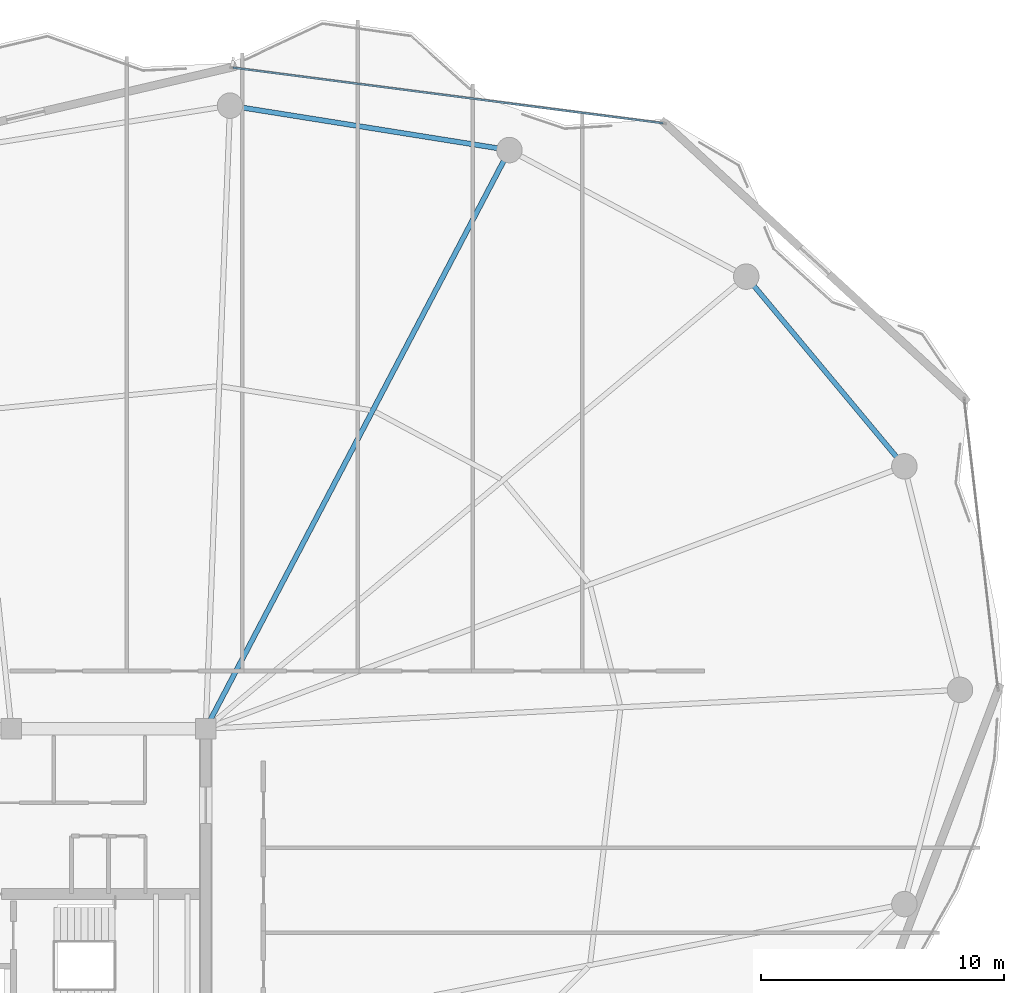
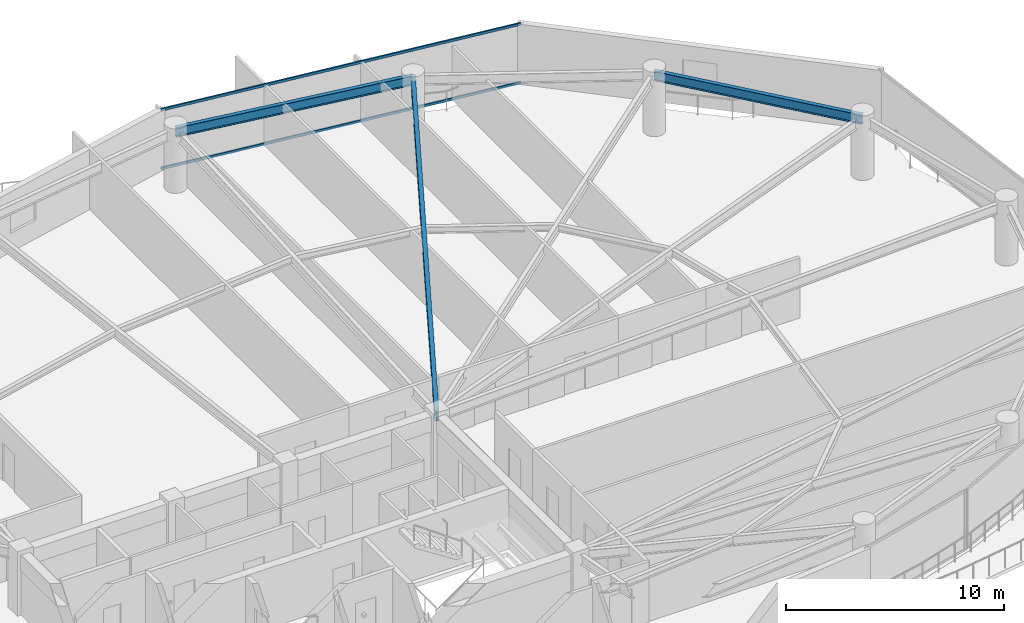
# One storey, part 21 of 31: 3 beams, 2 members, 1 element without a shape of its own.
"""IFC4 building model written with IfcOpenShell, lengths in metres."""

from ifc_helpers import new_model, si_unit, direction, frame, origin, origin_2d, place, context, subcontext, project, spatial, hollow_rectangle, i_section, extrude, material, layer, layer_set, material_profile, profile_set, type_object, element, aggregate, save


model = new_model("IFC4")

# Units and contexts
model_context = context("Model", 3, precision=1e-05, world=origin(), true_north=direction((0.0, 1.0)))
body_context = subcontext(model_context, "Body", "Model", "MODEL_VIEW")
ifc_project = project(units=[si_unit("LENGTHUNIT", "METRE"), si_unit("AREAUNIT", "SQUARE_METRE"), si_unit("VOLUMEUNIT", "CUBIC_METRE"), si_unit("PLANEANGLEUNIT", "RADIAN"), si_unit("MASSUNIT", "GRAM", prefix="KILO")], contexts=[model_context])

# Site, building, storey
site_placement = place(None, origin())
site = spatial("IfcSite", under=ifc_project, at=site_placement, CompositionType="ELEMENT")
building_placement = place(site_placement, origin())
building = spatial("IfcBuilding", under=site, at=building_placement, Name="Kazevale Care Tower and Concert Hall", CompositionType="ELEMENT")
storey_placement = place(building_placement, frame((0.0, 0.0, 206.39990234375)))
storey = spatial("IfcBuildingStorey", under=building, at=storey_placement, Name="L54", CompositionType="ELEMENT", Elevation=206.39990234375)

# Curtain wall, members
ifc_material_1 = material(Name="Aluminium 6063-T6 and Low-E Glass", Category="aluminium")
ifc_layer = layer(ifc_material_1, 0.179931640625)
ifc_layer_set = layer_set([ifc_layer], Name="Aluminium 6063-T6 and Low-E Glass")
curtain_wall_type = type_object("IfcCurtainWallType", Name="Waist & Upper Residential Curtain Wall CW-4", PredefinedType="NOTDEFINED", material=ifc_layer_set)
curtain_wall_placement = place(storey_placement, origin())
curtain_wall = element("IfcCurtainWall", 1, at=curtain_wall_placement, inside=storey, type_object=curtain_wall_type, Name="cw:L54:f16", PredefinedType="NOTDEFINED")
ifc_material_2 = material(Name="Aluminium 6063-T6", Category="aluminium")
ifc_material_profile_1 = material_profile(ifc_material_2, hollow_rectangle(XDim=0.080078125, YDim=0.139892578125, WallThickness=0.00390625, at=origin_2d()), Name="ALU80x140x4")
ifc_profile_set_1 = profile_set([ifc_material_profile_1], Name="Aluminium 6063-T6")
member_type = type_object("IfcMemberType", Name="CW-4 Transom ALU80x140x4", PredefinedType="USERDEFINED", material=ifc_profile_set_1)
member_1_placement = place(storey_placement, frame((45.123291015625, 63.61181640625, 0.0400390625), z_axis=(0.991760953967, -0.128102342625, 0.0), x_axis=(0.128102342625, 0.991760953967, 0.0)))
member_1 = element("IfcMember", 2, at=member_1_placement, type_object=member_type, Name="CW-4 transom 1.1", ObjectType="TRANSOM", PredefinedType="USERDEFINED", context=body_context, shape_type="SweptSolid", body=[
    extrude(hollow_rectangle(XDim=0.080078125, YDim=0.139892578125, WallThickness=0.00390625, at=origin_2d()), origin(), (0.0, 0.0, 1.0), 17.857666015625),
])
member_2_placement = place(storey_placement, frame((45.123291015625, 63.61181640625, 3.320068359375), z_axis=(0.991760953967, -0.128102342625, 0.0), x_axis=(0.128102342625, 0.991760953967, 0.0)))
member_2 = element("IfcMember", 3, at=member_2_placement, type_object=member_type, Name="CW-4 transom 1.2", ObjectType="TRANSOM", PredefinedType="USERDEFINED", context=body_context, shape_type="SweptSolid", body=[
    extrude(hollow_rectangle(XDim=0.080078125, YDim=0.139892578125, WallThickness=0.00390625, at=origin_2d()), origin(), (0.0, 0.0, 1.0), 17.857666015625),
])
aggregate(curtain_wall, [member_1, member_2])

# Beams
ifc_material_3 = material(Name="Steel ASTM A572 Gr 50", Category="steel")
ifc_material_profile_2 = material_profile(ifc_material_3, i_section(OverallWidth=0.2119140625, OverallDepth=0.5439453125, WebThickness=0.01318359375, FlangeThickness=0.021240234375, at=origin_2d()), Name="W530x123")
ifc_profile_set_2 = profile_set([ifc_material_profile_2], Name="Steel ASTM A572 Gr 50")
beam_type_1 = type_object("IfcBeamType", Name="Radial Floor Girder W530x123", PredefinedType="BEAM", material=ifc_profile_set_2)
beam_1_placement = place(storey_placement, frame((44.0, 36.39990234375, 3.088134765625), z_axis=(0.464672566396, 0.885482583702, 0.0), x_axis=(-0.885482583702, 0.464672566396, 0.0)))
element("IfcBeam", 4, at=beam_1_placement, inside=storey, type_object=beam_type_1, Name="beam:L54:rad:04", PredefinedType="BEAM", context=body_context, shape_type="SweptSolid", body=[
    extrude(i_section(OverallWidth=0.2119140625, OverallDepth=0.5439453125, WebThickness=0.01318359375, FlangeThickness=0.021240234375, at=origin_2d()), origin(), (0.0, 0.0, 1.0), 26.900634765625),
])
ifc_material_profile_3 = material_profile(ifc_material_3, i_section(OverallWidth=0.208984375, OverallDepth=0.532958984375, WebThickness=0.01025390625, FlangeThickness=0.015625, at=origin_2d()), Name="W530x92")
ifc_profile_set_3 = profile_set([ifc_material_profile_3], Name="Steel ASTM A572 Gr 50")
beam_type_2 = type_object("IfcBeamType", Name="Upper Ring Beam W530x92", PredefinedType="BEAM", material=ifc_profile_set_3)
beam_2_placement = place(storey_placement, frame((72.760009765625, 47.199951171875, 3.093505859375), z_axis=(-0.640278868102, 0.768142546056, 0.0), x_axis=(-0.768142546056, -0.640278868102, 0.0)))
element("IfcBeam", 5, at=beam_2_placement, inside=storey, type_object=beam_type_2, Name="beam:L54:ring:02", PredefinedType="BEAM", context=body_context, shape_type="SweptSolid", body=[
    extrude(i_section(OverallWidth=0.208984375, OverallDepth=0.532958984375, WebThickness=0.01025390625, FlangeThickness=0.015625, at=origin_2d()), origin(), (0.0, 0.0, 1.0), 10.16748046875),
])
beam_3_placement = place(storey_placement, frame((56.5, 60.219970703125, 3.093505859375), z_axis=(-0.987573207584, 0.15715966296, 0.0), x_axis=(-0.15715966296, -0.987573207584, 0.0)))
element("IfcBeam", 6, at=beam_3_placement, inside=storey, type_object=beam_type_2, Name="beam:L54:ring:04", PredefinedType="BEAM", context=body_context, shape_type="SweptSolid", body=[
    extrude(i_section(OverallWidth=0.208984375, OverallDepth=0.532958984375, WebThickness=0.01025390625, FlangeThickness=0.015625, at=origin_2d()), origin(), (0.0, 0.0, 1.0), 11.644775390625),
])

save(model, "model.ifc")
